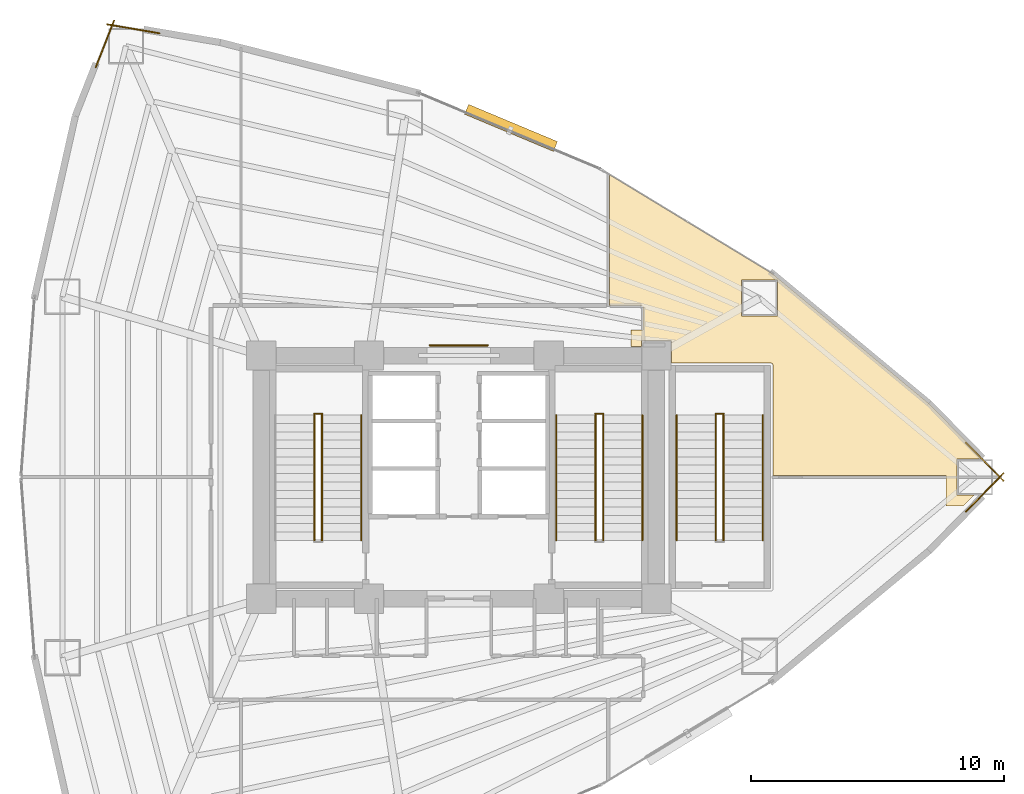
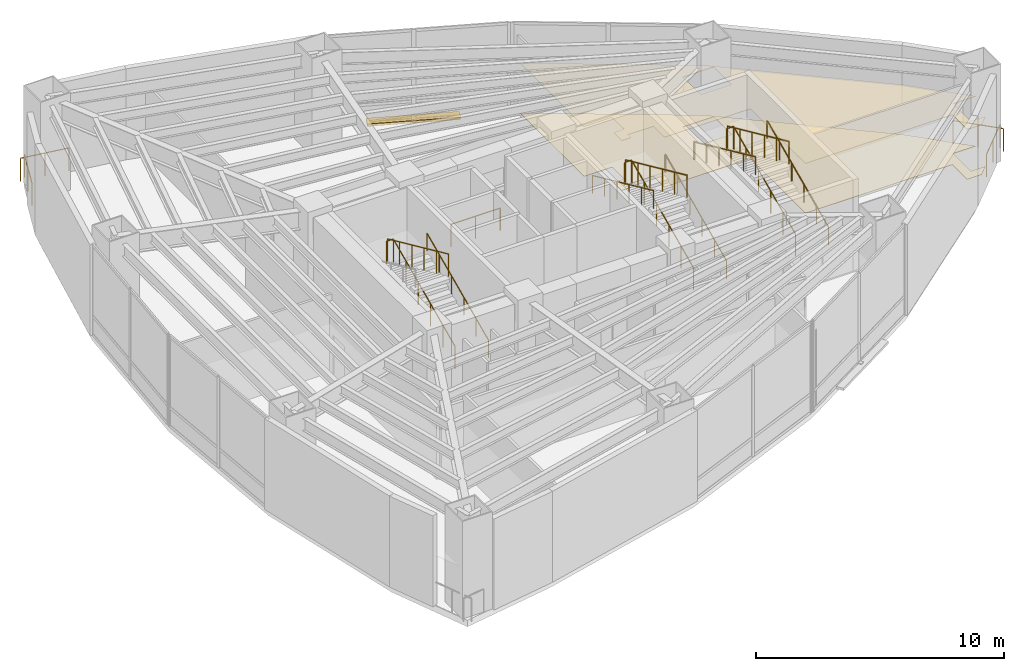
# One storey, part 18 of 18: 19 railings, 2 coverings, 1 shading device.
"""IFC4 building model written with IfcOpenShell, lengths in metres."""

from ifc_helpers import new_model, si_unit, direction, frame, origin, origin_2d, place, context, subcontext, project, spatial, polyline, rectangle, circle, outline, extrude, material, layer, layer_set, type_object, element, save


model = new_model("IFC4")

# Units and contexts
model_context = context("Model", 3, precision=1e-05, world=origin(), true_north=direction((0.0, 1.0)))
body_context = subcontext(model_context, "Body", "Model", "MODEL_VIEW")
ifc_project = project(units=[si_unit("LENGTHUNIT", "METRE"), si_unit("AREAUNIT", "SQUARE_METRE"), si_unit("VOLUMEUNIT", "CUBIC_METRE"), si_unit("PLANEANGLEUNIT", "RADIAN"), si_unit("MASSUNIT", "GRAM", prefix="KILO")], contexts=[model_context])

# Site, building, storey
site_placement = place(None, origin())
site = spatial("IfcSite", under=ifc_project, at=site_placement, CompositionType="ELEMENT")
building_placement = place(site_placement, origin())
building = spatial("IfcBuilding", under=site, at=building_placement, Name="Menara Vayukalpa", CompositionType="ELEMENT")
storey_placement = place(building_placement, frame((0.0, 0.0, 7.199951171875)))
storey = spatial("IfcBuildingStorey", under=building, at=storey_placement, Name="L01", CompositionType="ELEMENT", Elevation=7.199951171875)

# Coverings
ifc_material_1 = material(Name="Mineral Fibre Acoustic Ceiling Tile", Category="masonry")
ifc_layer_1 = layer(ifc_material_1, 0.02490234375)
ifc_layer_set_1 = layer_set([ifc_layer_1], Name="Mineral Fibre Acoustic Ceiling Tile")
covering_type_1 = type_object("IfcCoveringType", Name="COV-CLG1", PredefinedType="CEILING", material=ifc_layer_set_1)
covering_1_placement = place(storey_placement, frame((0.0, 0.0, 2.449951171875)))
element("IfcCovering", 1, at=covering_1_placement, inside=storey, type_object=covering_type_1, Name="L01 Podium Operations Support Suite Acoustic Ceiling", PredefinedType="CEILING", context=body_context, shape_type="SweptSolid", body=[
    extrude(outline(polyline([(45.5224609375, 20.864990234375), (44.84423828125, 20.864990234375), (44.84423828125, 22.06005859375), (38.010009765625, 22.06005859375), (38.009033203125, 22.06005859375), (38.008056640625, 22.060302734375), (38.007080078125, 22.060302734375), (38.006103515625, 22.060791015625), (38.00537109375, 22.061279296875), (38.00439453125, 22.061767578125), (38.003662109375, 22.062255859375), (38.0029296875, 22.06298828125), (38.002197265625, 22.063720703125), (38.001708984375, 22.064453125), (38.001220703125, 22.065185546875), (38.000732421875, 22.066162109375), (38.00048828125, 22.067138671875), (38.000244140625, 22.068115234375), (38.0, 22.069091796875), (38.0, 22.070068359375), (38.0, 26.4296875), (37.99951171875, 26.436767578125), (37.998779296875, 26.443603515625), (37.9970703125, 26.4501953125), (37.99462890625, 26.456787109375), (37.99169921875, 26.462890625), (37.98828125, 26.46875), (37.98388671875, 26.474609375), (37.9794921875, 26.4794921875), (37.974609375, 26.48388671875), (37.96875, 26.48828125), (37.962890625, 26.49169921875), (37.956787109375, 26.49462890625), (37.9501953125, 26.4970703125), (37.943603515625, 26.498779296875), (37.936767578125, 26.49951171875), (37.9296875, 26.5), (33.989990234375, 26.5), (33.989990234375, 27.389892578125), (32.81005859375, 27.389892578125), (32.81005859375, 27.14990234375), (32.389892578125, 27.14990234375), (32.389892578125, 27.81005859375), (32.8701171875, 27.81005859375), (32.8701171875, 28.69970703125), (32.86962890625, 28.706787109375), (32.86865234375, 28.713623046875), (32.866943359375, 28.72021484375), (32.86474609375, 28.726806640625), (32.86181640625, 28.73291015625), (32.858154296875, 28.73876953125), (32.85400390625, 28.744384765625), (32.849609375, 28.74951171875), (32.844482421875, 28.75390625), (32.8388671875, 28.75830078125), (32.8330078125, 28.76171875), (32.826904296875, 28.7646484375), (32.8203125, 28.76708984375), (32.813720703125, 28.768798828125), (32.806884765625, 28.76953125), (32.7998046875, 28.77001953125), (31.570068359375, 28.77001953125), (31.569091796875, 28.77001953125), (31.568115234375, 28.770263671875), (31.567138671875, 28.7705078125), (31.566162109375, 28.770751953125), (31.565185546875, 28.771240234375), (31.564453125, 28.771728515625), (31.563720703125, 28.772216796875), (31.56298828125, 28.77294921875), (31.562255859375, 28.773681640625), (31.561767578125, 28.7744140625), (31.561279296875, 28.775390625), (31.560791015625, 28.776123046875), (31.560302734375, 28.777099609375), (31.560302734375, 28.778076171875), (31.56005859375, 28.779052734375), (31.56005859375, 28.780029296875), (31.56005859375, 33.91748046875), (31.56005859375, 33.91845703125), (31.560302734375, 33.919189453125), (31.560302734375, 33.920166015625), (31.560791015625, 33.921142578125), (31.56103515625, 33.922119140625), (31.5615234375, 33.9228515625), (31.562255859375, 33.923583984375), (31.562744140625, 33.92431640625), (31.5634765625, 33.925048828125), (31.564208984375, 33.925537109375), (31.565185546875, 33.926025390625), (31.56591796875, 33.926513671875), (31.56689453125, 33.927001953125), (31.56787109375, 33.92724609375), (31.568603515625, 33.92724609375), (31.569580078125, 33.927490234375), (31.570556640625, 33.927490234375), (31.571533203125, 33.92724609375), (31.572509765625, 33.927001953125), (31.573486328125, 33.9267578125), (31.57421875, 33.926513671875), (31.5751953125, 33.92578125), (37.966796875, 30.043212890625), (37.968017578125, 30.04248046875), (44.1630859375, 24.90478515625), (44.163818359375, 24.904052734375), (46.313232421875, 22.715087890625), (45.26416015625, 22.715087890625), (45.26416015625, 21.284912109375), (45.934814453125, 21.284912109375), (45.5224609375, 20.864990234375)]), holes=[polyline([(38.18896484375, 28.35595703125), (38.18896484375, 29.785888671875), (36.759033203125, 29.785888671875), (36.759033203125, 28.35595703125), (38.18896484375, 28.35595703125)])]), origin(), (0.0, 0.0, 1.0), 0.025146484375),
])
ifc_material_2 = material(Name="Porcelain Stoneware Floor Tile", Category="masonry")
ifc_layer_2 = layer(ifc_material_2, 0.02001953125)
ifc_layer_set_2 = layer_set([ifc_layer_2], Name="Porcelain Stoneware Floor Tile")
covering_type_2 = type_object("IfcCoveringType", Name="COV-FLR1", PredefinedType="FLOORING", material=ifc_layer_set_2)
covering_2_placement = place(storey_placement, origin())
element("IfcCovering", 2, at=covering_2_placement, inside=storey, type_object=covering_type_2, Name="L01 Podium Operations Support Suite Porcelain Flooring", PredefinedType="FLOORING", context=body_context, shape_type="SweptSolid", body=[
    extrude(outline(polyline([(45.5224609375, 20.864990234375), (44.84423828125, 20.864990234375), (44.84423828125, 22.06005859375), (38.010009765625, 22.06005859375), (38.009033203125, 22.06005859375), (38.008056640625, 22.060302734375), (38.007080078125, 22.060302734375), (38.006103515625, 22.060791015625), (38.00537109375, 22.061279296875), (38.00439453125, 22.061767578125), (38.003662109375, 22.062255859375), (38.0029296875, 22.06298828125), (38.002197265625, 22.063720703125), (38.001708984375, 22.064453125), (38.001220703125, 22.065185546875), (38.000732421875, 22.066162109375), (38.00048828125, 22.067138671875), (38.000244140625, 22.068115234375), (38.0, 22.069091796875), (38.0, 22.070068359375), (38.0, 26.4296875), (37.99951171875, 26.436767578125), (37.998779296875, 26.443603515625), (37.9970703125, 26.4501953125), (37.99462890625, 26.456787109375), (37.99169921875, 26.462890625), (37.98828125, 26.46875), (37.98388671875, 26.474609375), (37.9794921875, 26.4794921875), (37.974609375, 26.48388671875), (37.96875, 26.48828125), (37.962890625, 26.49169921875), (37.956787109375, 26.49462890625), (37.9501953125, 26.4970703125), (37.943603515625, 26.498779296875), (37.936767578125, 26.49951171875), (37.9296875, 26.5), (33.989990234375, 26.5), (33.989990234375, 27.389892578125), (32.81005859375, 27.389892578125), (32.81005859375, 27.14990234375), (32.389892578125, 27.14990234375), (32.389892578125, 27.81005859375), (32.8701171875, 27.81005859375), (32.8701171875, 28.69970703125), (32.86962890625, 28.706787109375), (32.86865234375, 28.713623046875), (32.866943359375, 28.72021484375), (32.86474609375, 28.726806640625), (32.86181640625, 28.73291015625), (32.858154296875, 28.73876953125), (32.85400390625, 28.744384765625), (32.849609375, 28.74951171875), (32.844482421875, 28.75390625), (32.8388671875, 28.75830078125), (32.8330078125, 28.76171875), (32.826904296875, 28.7646484375), (32.8203125, 28.76708984375), (32.813720703125, 28.768798828125), (32.806884765625, 28.76953125), (32.7998046875, 28.77001953125), (31.570068359375, 28.77001953125), (31.569091796875, 28.77001953125), (31.568115234375, 28.770263671875), (31.567138671875, 28.7705078125), (31.566162109375, 28.770751953125), (31.565185546875, 28.771240234375), (31.564453125, 28.771728515625), (31.563720703125, 28.772216796875), (31.56298828125, 28.77294921875), (31.562255859375, 28.773681640625), (31.561767578125, 28.7744140625), (31.561279296875, 28.775390625), (31.560791015625, 28.776123046875), (31.560302734375, 28.777099609375), (31.560302734375, 28.778076171875), (31.56005859375, 28.779052734375), (31.56005859375, 28.780029296875), (31.56005859375, 33.91748046875), (31.56005859375, 33.91845703125), (31.560302734375, 33.919189453125), (31.560302734375, 33.920166015625), (31.560791015625, 33.921142578125), (31.56103515625, 33.922119140625), (31.5615234375, 33.9228515625), (31.562255859375, 33.923583984375), (31.562744140625, 33.92431640625), (31.5634765625, 33.925048828125), (31.564208984375, 33.925537109375), (31.565185546875, 33.926025390625), (31.56591796875, 33.926513671875), (31.56689453125, 33.927001953125), (31.56787109375, 33.92724609375), (31.568603515625, 33.92724609375), (31.569580078125, 33.927490234375), (31.570556640625, 33.927490234375), (31.571533203125, 33.92724609375), (31.572509765625, 33.927001953125), (31.573486328125, 33.9267578125), (31.57421875, 33.926513671875), (31.5751953125, 33.92578125), (37.966796875, 30.043212890625), (37.968017578125, 30.04248046875), (44.1630859375, 24.90478515625), (44.163818359375, 24.904052734375), (46.313232421875, 22.715087890625), (45.26416015625, 22.715087890625), (45.26416015625, 21.284912109375), (45.934814453125, 21.284912109375), (45.5224609375, 20.864990234375)]), holes=[polyline([(38.18896484375, 28.35595703125), (38.18896484375, 29.785888671875), (36.759033203125, 29.785888671875), (36.759033203125, 28.35595703125), (38.18896484375, 28.35595703125)])]), origin(), (0.0, 0.0, 1.0), 0.02001953125),
])

# Railings
ifc_material_3 = material(Name="Laminated Glass Interior Balustrade", Category="glass")
railing_type_1 = type_object("IfcRailingType", Name="RLG-BAL110", PredefinedType="BALUSTRADE", material=ifc_material_3)
railing_1_placement = place(storey_placement, frame((24.449951171875, 27.199951171875, 0.0)))
element("IfcRailing", 3, at=railing_1_placement, inside=storey, type_object=railing_type_1, Name="L01 Concourse Feature Glass Balustrade", PredefinedType="BALUSTRADE", context=body_context, shape_type="SweptSolid", body=[
    extrude(circle(Radius=0.02392578125, at=origin_2d()), frame((0.0, 0.0, 1.09619140625), z_axis=(1.0, 0.0, 0.0), x_axis=(0.0, 1.0, 0.0)), (0.0, 0.0, 1.0), 2.300048828125),
    extrude(circle(Radius=0.02099609375, at=origin_2d()), origin(), (0.0, 0.0, 1.0), 1.072021484375),
    extrude(circle(Radius=0.02099609375, at=origin_2d()), frame((1.14990234375, 0.0, 0.0)), (0.0, 0.0, 1.0), 1.072021484375),
    extrude(circle(Radius=0.02099609375, at=origin_2d()), frame((2.300048828125, 0.0, 0.0)), (0.0, 0.0, 1.0), 1.072021484375),
])
ifc_material_4 = material(Name="Laminated Glass and Stainless Steel 316 Guardrail", Category="steel")
railing_type_2 = type_object("IfcRailingType", Name="RLG-EXT115", PredefinedType="GUARDRAIL", material=ifc_material_4)
railing_2_placement = place(storey_placement, frame((45.62353515625, 20.6396484375, 0.0)))
element("IfcRailing", 4, at=railing_2_placement, inside=storey, type_object=railing_type_2, Name="L01 Column Corner Spandrel Guardrail 01-1", PredefinedType="GUARDRAIL", context=body_context, shape_type="SweptSolid", body=[
    extrude(circle(Radius=0.02392578125, at=origin_2d()), frame((0.0, 0.0, 1.1259765625), z_axis=(0.700614652117, 0.713539844184, 0.0), x_axis=(-0.713539844184, 0.700614652117, 0.0)), (0.0, 0.0, 1.0), 2.115478515625),
    extrude(circle(Radius=0.02099609375, at=origin_2d()), origin(), (0.0, 0.0, 1.0), 1.101806640625),
    extrude(circle(Radius=0.02099609375, at=origin_2d()), frame((0.7412109375, 0.7548828125, 0.0)), (0.0, 0.0, 1.0), 1.101806640625),
    extrude(circle(Radius=0.02099609375, at=origin_2d()), frame((1.482177734375, 1.509521484375, 0.0)), (0.0, 0.0, 1.0), 1.101806640625),
])
railing_3_placement = place(storey_placement, frame((47.105712890625, 21.850830078125, 0.0)))
element("IfcRailing", 5, at=railing_3_placement, inside=storey, type_object=railing_type_2, Name="L01 Column Corner Spandrel Guardrail 02-1", PredefinedType="GUARDRAIL", context=body_context, shape_type="SweptSolid", body=[
    extrude(circle(Radius=0.02392578125, at=origin_2d()), frame((0.0, 0.0, 1.1259765625), z_axis=(-0.700614652117, 0.713539844184, 0.0), x_axis=(-0.713539844184, -0.700614652117, 0.0)), (0.0, 0.0, 1.0), 2.115478515625),
    extrude(circle(Radius=0.02099609375, at=origin_2d()), origin(), (0.0, 0.0, 1.0), 1.101806640625),
    extrude(circle(Radius=0.02099609375, at=origin_2d()), frame((-0.7412109375, 0.7548828125, 0.0)), (0.0, 0.0, 1.0), 1.101806640625),
    extrude(circle(Radius=0.02099609375, at=origin_2d()), frame((-1.482177734375, 1.509521484375, 0.0)), (0.0, 0.0, 1.0), 1.101806640625),
])
railing_4_placement = place(storey_placement, frame((13.78369140625, 39.524658203125, 0.0)))
element("IfcRailing", 6, at=railing_4_placement, inside=storey, type_object=railing_type_2, Name="L01 Column Corner Spandrel Guardrail 07-1", PredefinedType="GUARDRAIL", context=body_context, shape_type="SweptSolid", body=[
    extrude(circle(Radius=0.02392578125, at=origin_2d()), frame((0.0, 0.0, 1.1259765625), z_axis=(-0.985904350491, 0.167309927029, 0.0), x_axis=(-0.167309927029, -0.985904350491, 0.0)), (0.0, 0.0, 1.0), 2.093994140625),
    extrude(circle(Radius=0.02099609375, at=origin_2d()), origin(), (0.0, 0.0, 1.0), 1.101806640625),
    extrude(circle(Radius=0.02099609375, at=origin_2d()), frame((-1.0322265625, 0.17529296875, 0.0)), (0.0, 0.0, 1.0), 1.101806640625),
    extrude(circle(Radius=0.02099609375, at=origin_2d()), frame((-2.064453125, 0.350341796875, 0.0)), (0.0, 0.0, 1.0), 1.101806640625),
])
railing_5_placement = place(storey_placement, frame((11.990478515625, 40.028076171875, 0.0)))
element("IfcRailing", 7, at=railing_5_placement, inside=storey, type_object=railing_type_2, Name="L01 Column Corner Spandrel Guardrail 08-1", PredefinedType="GUARDRAIL", context=body_context, shape_type="SweptSolid", body=[
    extrude(circle(Radius=0.02392578125, at=origin_2d()), frame((0.0, 0.0, 1.1259765625), z_axis=(-0.365580158762, -0.930779859859, 0.0), x_axis=(0.930779859859, -0.365580158762, 0.0)), (0.0, 0.0, 1.0), 1.9873046875),
    extrude(circle(Radius=0.02099609375, at=origin_2d()), origin(), (0.0, 0.0, 1.0), 1.101806640625),
    extrude(circle(Radius=0.02099609375, at=origin_2d()), frame((-0.36328125, -0.9248046875, 0.0)), (0.0, 0.0, 1.0), 1.101806640625),
    extrude(circle(Radius=0.02099609375, at=origin_2d()), frame((-0.7265625, -1.849853515625, 0.0)), (0.0, 0.0, 1.0), 1.101806640625),
])
ifc_material_5 = material(Name="Powder-Coated Galvanised Steel Guardrail", Category="steel")
railing_type_3 = type_object("IfcRailingType", Name="RLG-STG110", PredefinedType="GUARDRAIL", material=ifc_material_5)
railing_6_placement = place(storey_placement, frame((20.199951171875, 19.5, 0.150146484375)))
element("IfcRailing", 8, at=railing_6_placement, inside=storey, type_object=railing_type_3, Name="L01 ST-1 stair guard 1", PredefinedType="GUARDRAIL", context=body_context, shape_type="SweptSolid", body=[
    extrude(circle(Radius=0.02392578125, at=origin_2d()), frame((0.0, 0.0, 1.09619140625), z_axis=(0.0, 0.910364939756, 0.41380632724), x_axis=(-1.0, 0.0, 0.0)), (0.0, 0.0, 1.0), 5.437255859375),
    extrude(circle(Radius=0.02099609375, at=origin_2d()), origin(), (0.0, 0.0, 1.0), 1.072021484375),
    extrude(circle(Radius=0.02099609375, at=origin_2d()), frame((0.0, 0.989990234375, 0.449951171875)), (0.0, 0.0, 1.0), 1.072021484375),
    extrude(circle(Radius=0.02099609375, at=origin_2d()), frame((0.0, 1.97998046875, 0.89990234375)), (0.0, 0.0, 1.0), 1.072021484375),
    extrude(circle(Radius=0.02099609375, at=origin_2d()), frame((0.0, 2.969970703125, 1.35009765625)), (0.0, 0.0, 1.0), 1.072021484375),
    extrude(circle(Radius=0.02099609375, at=origin_2d()), frame((0.0, 3.9599609375, 1.800048828125)), (0.0, 0.0, 1.0), 1.072021484375),
    extrude(circle(Radius=0.02099609375, at=origin_2d()), frame((0.0, 4.949951171875, 2.25)), (0.0, 0.0, 1.0), 1.072021484375),
])
railing_7_placement = place(storey_placement, frame((20.2099609375, 24.5, 2.400146484375)))
element("IfcRailing", 9, at=railing_7_placement, inside=storey, type_object=railing_type_3, Name="L01 ST-1 stair guard 2", PredefinedType="GUARDRAIL", context=body_context, shape_type="SweptSolid", body=[
    extrude(circle(Radius=0.02392578125, at=origin_2d()), frame((0.0, 0.0, 1.09619140625), z_axis=(-1.0, 0.0, 0.0), x_axis=(0.0, -1.0, 0.0)), (0.0, 0.0, 1.0), 0.320068359375),
    extrude(circle(Radius=0.02099609375, at=origin_2d()), origin(), (0.0, 0.0, 1.0), 1.072021484375),
    extrude(circle(Radius=0.02099609375, at=origin_2d()), frame((-0.320068359375, 0.0, 0.0)), (0.0, 0.0, 1.0), 1.072021484375),
])
railing_8_placement = place(storey_placement, frame((19.89990234375, 24.449951171875, 2.550048828125)))
element("IfcRailing", 10, at=railing_8_placement, inside=storey, type_object=railing_type_3, Name="L01 ST-1 stair guard 3", PredefinedType="GUARDRAIL", context=body_context, shape_type="SweptSolid", body=[
    extrude(circle(Radius=0.02392578125, at=origin_2d()), frame((0.0, 0.0, 1.09619140625), z_axis=(0.0, -0.910364939756, 0.41380632724), x_axis=(1.0, 0.0, 0.0)), (0.0, 0.0, 1.0), 5.437255859375),
    extrude(circle(Radius=0.02099609375, at=origin_2d()), origin(), (0.0, 0.0, 1.0), 1.072021484375),
    extrude(circle(Radius=0.02099609375, at=origin_2d()), frame((0.0, -0.989990234375, 0.449951171875)), (0.0, 0.0, 1.0), 1.072021484375),
    extrude(circle(Radius=0.02099609375, at=origin_2d()), frame((0.0, -1.97998046875, 0.89990234375)), (0.0, 0.0, 1.0), 1.072021484375),
    extrude(circle(Radius=0.02099609375, at=origin_2d()), frame((0.0, -2.969970703125, 1.35009765625)), (0.0, 0.0, 1.0), 1.072021484375),
    extrude(circle(Radius=0.02099609375, at=origin_2d()), frame((0.0, -3.9599609375, 1.800048828125)), (0.0, 0.0, 1.0), 1.072021484375),
    extrude(circle(Radius=0.02099609375, at=origin_2d()), frame((0.0, -4.949951171875, 2.25)), (0.0, 0.0, 1.0), 1.072021484375),
])
railing_9_placement = place(storey_placement, frame((31.300048828125, 19.5, 0.150146484375)))
element("IfcRailing", 11, at=railing_9_placement, inside=storey, type_object=railing_type_3, Name="L01 ST-2 stair guard 1", PredefinedType="GUARDRAIL", context=body_context, shape_type="SweptSolid", body=[
    extrude(circle(Radius=0.02392578125, at=origin_2d()), frame((0.0, 0.0, 1.09619140625), z_axis=(0.0, 0.910364939756, 0.41380632724), x_axis=(-1.0, 0.0, 0.0)), (0.0, 0.0, 1.0), 5.437255859375),
    extrude(circle(Radius=0.02099609375, at=origin_2d()), origin(), (0.0, 0.0, 1.0), 1.072021484375),
    extrude(circle(Radius=0.02099609375, at=origin_2d()), frame((0.0, 0.989990234375, 0.449951171875)), (0.0, 0.0, 1.0), 1.072021484375),
    extrude(circle(Radius=0.02099609375, at=origin_2d()), frame((0.0, 1.97998046875, 0.89990234375)), (0.0, 0.0, 1.0), 1.072021484375),
    extrude(circle(Radius=0.02099609375, at=origin_2d()), frame((0.0, 2.969970703125, 1.35009765625)), (0.0, 0.0, 1.0), 1.072021484375),
    extrude(circle(Radius=0.02099609375, at=origin_2d()), frame((0.0, 3.9599609375, 1.800048828125)), (0.0, 0.0, 1.0), 1.072021484375),
    extrude(circle(Radius=0.02099609375, at=origin_2d()), frame((0.0, 4.949951171875, 2.25)), (0.0, 0.0, 1.0), 1.072021484375),
])
railing_10_placement = place(storey_placement, frame((31.31005859375, 24.5, 2.400146484375)))
element("IfcRailing", 12, at=railing_10_placement, inside=storey, type_object=railing_type_3, Name="L01 ST-2 stair guard 2", PredefinedType="GUARDRAIL", context=body_context, shape_type="SweptSolid", body=[
    extrude(circle(Radius=0.02392578125, at=origin_2d()), frame((0.0, 0.0, 1.09619140625), z_axis=(-1.0, 0.0, 0.0), x_axis=(0.0, -1.0, 0.0)), (0.0, 0.0, 1.0), 0.320068359375),
    extrude(circle(Radius=0.02099609375, at=origin_2d()), origin(), (0.0, 0.0, 1.0), 1.072021484375),
    extrude(circle(Radius=0.02099609375, at=origin_2d()), frame((-0.320068359375, 0.0, 0.0)), (0.0, 0.0, 1.0), 1.072021484375),
])
railing_11_placement = place(storey_placement, frame((31.0, 24.449951171875, 2.550048828125)))
element("IfcRailing", 13, at=railing_11_placement, inside=storey, type_object=railing_type_3, Name="L01 ST-2 stair guard 3", PredefinedType="GUARDRAIL", context=body_context, shape_type="SweptSolid", body=[
    extrude(circle(Radius=0.02392578125, at=origin_2d()), frame((0.0, 0.0, 1.09619140625), z_axis=(0.0, -0.910364939756, 0.41380632724), x_axis=(1.0, 0.0, 0.0)), (0.0, 0.0, 1.0), 5.437255859375),
    extrude(circle(Radius=0.02099609375, at=origin_2d()), origin(), (0.0, 0.0, 1.0), 1.072021484375),
    extrude(circle(Radius=0.02099609375, at=origin_2d()), frame((0.0, -0.989990234375, 0.449951171875)), (0.0, 0.0, 1.0), 1.072021484375),
    extrude(circle(Radius=0.02099609375, at=origin_2d()), frame((0.0, -1.97998046875, 0.89990234375)), (0.0, 0.0, 1.0), 1.072021484375),
    extrude(circle(Radius=0.02099609375, at=origin_2d()), frame((0.0, -2.969970703125, 1.35009765625)), (0.0, 0.0, 1.0), 1.072021484375),
    extrude(circle(Radius=0.02099609375, at=origin_2d()), frame((0.0, -3.9599609375, 1.800048828125)), (0.0, 0.0, 1.0), 1.072021484375),
    extrude(circle(Radius=0.02099609375, at=origin_2d()), frame((0.0, -4.949951171875, 2.25)), (0.0, 0.0, 1.0), 1.072021484375),
])
railing_12_placement = place(storey_placement, frame((36.050048828125, 19.5, 0.150146484375)))
element("IfcRailing", 14, at=railing_12_placement, inside=storey, type_object=railing_type_3, Name="L01 ST-3 stair guard 1", PredefinedType="GUARDRAIL", context=body_context, shape_type="SweptSolid", body=[
    extrude(circle(Radius=0.02392578125, at=origin_2d()), frame((0.0, 0.0, 1.09619140625), z_axis=(0.0, 0.910364939756, 0.41380632724), x_axis=(-1.0, 0.0, 0.0)), (0.0, 0.0, 1.0), 5.437255859375),
    extrude(circle(Radius=0.02099609375, at=origin_2d()), origin(), (0.0, 0.0, 1.0), 1.072021484375),
    extrude(circle(Radius=0.02099609375, at=origin_2d()), frame((0.0, 0.989990234375, 0.449951171875)), (0.0, 0.0, 1.0), 1.072021484375),
    extrude(circle(Radius=0.02099609375, at=origin_2d()), frame((0.0, 1.97998046875, 0.89990234375)), (0.0, 0.0, 1.0), 1.072021484375),
    extrude(circle(Radius=0.02099609375, at=origin_2d()), frame((0.0, 2.969970703125, 1.35009765625)), (0.0, 0.0, 1.0), 1.072021484375),
    extrude(circle(Radius=0.02099609375, at=origin_2d()), frame((0.0, 3.9599609375, 1.800048828125)), (0.0, 0.0, 1.0), 1.072021484375),
    extrude(circle(Radius=0.02099609375, at=origin_2d()), frame((0.0, 4.949951171875, 2.25)), (0.0, 0.0, 1.0), 1.072021484375),
])
railing_13_placement = place(storey_placement, frame((36.06005859375, 24.5, 2.400146484375)))
element("IfcRailing", 15, at=railing_13_placement, inside=storey, type_object=railing_type_3, Name="L01 ST-3 stair guard 2", PredefinedType="GUARDRAIL", context=body_context, shape_type="SweptSolid", body=[
    extrude(circle(Radius=0.02392578125, at=origin_2d()), frame((0.0, 0.0, 1.09619140625), z_axis=(-1.0, 0.0, 0.0), x_axis=(0.0, -1.0, 0.0)), (0.0, 0.0, 1.0), 0.320068359375),
    extrude(circle(Radius=0.02099609375, at=origin_2d()), origin(), (0.0, 0.0, 1.0), 1.072021484375),
    extrude(circle(Radius=0.02099609375, at=origin_2d()), frame((-0.320068359375, 0.0, 0.0)), (0.0, 0.0, 1.0), 1.072021484375),
])
railing_14_placement = place(storey_placement, frame((35.75, 24.449951171875, 2.550048828125)))
element("IfcRailing", 16, at=railing_14_placement, inside=storey, type_object=railing_type_3, Name="L01 ST-3 stair guard 3", PredefinedType="GUARDRAIL", context=body_context, shape_type="SweptSolid", body=[
    extrude(circle(Radius=0.02392578125, at=origin_2d()), frame((0.0, 0.0, 1.09619140625), z_axis=(0.0, -0.910364939756, 0.41380632724), x_axis=(1.0, 0.0, 0.0)), (0.0, 0.0, 1.0), 5.437255859375),
    extrude(circle(Radius=0.02099609375, at=origin_2d()), origin(), (0.0, 0.0, 1.0), 1.072021484375),
    extrude(circle(Radius=0.02099609375, at=origin_2d()), frame((0.0, -0.989990234375, 0.449951171875)), (0.0, 0.0, 1.0), 1.072021484375),
    extrude(circle(Radius=0.02099609375, at=origin_2d()), frame((0.0, -1.97998046875, 0.89990234375)), (0.0, 0.0, 1.0), 1.072021484375),
    extrude(circle(Radius=0.02099609375, at=origin_2d()), frame((0.0, -2.969970703125, 1.35009765625)), (0.0, 0.0, 1.0), 1.072021484375),
    extrude(circle(Radius=0.02099609375, at=origin_2d()), frame((0.0, -3.9599609375, 1.800048828125)), (0.0, 0.0, 1.0), 1.072021484375),
    extrude(circle(Radius=0.02099609375, at=origin_2d()), frame((0.0, -4.949951171875, 2.25)), (0.0, 0.0, 1.0), 1.072021484375),
])
ifc_material_6 = material(Name="Stainless Steel 316 Tubular Handrail", Category="steel")
railing_type_4 = type_object("IfcRailingType", Name="RLG-STH090", PredefinedType="HANDRAIL", material=ifc_material_6)
for number, where, name in (
    (17, (21.75, 19.5, 0.150146484375), "L01 ST-1 stair handrail 1"),
    (18, (32.85009765625, 19.5, 0.150146484375), "L01 ST-2 stair handrail 1"),
):
    element("IfcRailing", number, at=place(storey_placement, frame(where)), inside=storey, type_object=railing_type_4, Name=name, PredefinedType="HANDRAIL", context=body_context, shape_type="SweptSolid", body=[
        extrude(circle(Radius=0.02392578125, at=origin_2d()), frame((0.0, 0.0, 0.8759765625), z_axis=(0.0, 0.910364939756, 0.41380632724), x_axis=(-1.0, 0.0, 0.0)), (0.0, 0.0, 1.0), 5.437255859375),
        extrude(circle(Radius=0.02099609375, at=origin_2d()), origin(), (0.0, 0.0, 1.0), 0.851806640625),
        extrude(circle(Radius=0.02099609375, at=origin_2d()), frame((0.0, 0.989990234375, 0.449951171875)), (0.0, 0.0, 1.0), 0.851806640625),
        extrude(circle(Radius=0.02099609375, at=origin_2d()), frame((0.0, 1.97998046875, 0.89990234375)), (0.0, 0.0, 1.0), 0.851806640625),
        extrude(circle(Radius=0.02099609375, at=origin_2d()), frame((0.0, 2.969970703125, 1.35009765625)), (0.0, 0.0, 1.0), 0.851806640625),
        extrude(circle(Radius=0.02099609375, at=origin_2d()), frame((0.0, 3.9599609375, 1.800048828125)), (0.0, 0.0, 1.0), 0.851806640625),
        extrude(circle(Radius=0.02099609375, at=origin_2d()), frame((0.0, 4.949951171875, 2.25)), (0.0, 0.0, 1.0), 0.851806640625),
    ])
railing_15_placement = place(storey_placement, frame((29.449951171875, 24.449951171875, 2.550048828125)))
element("IfcRailing", 19, at=railing_15_placement, inside=storey, type_object=railing_type_4, Name="L01 ST-2 stair handrail 2", PredefinedType="HANDRAIL", context=body_context, shape_type="SweptSolid", body=[
    extrude(circle(Radius=0.02392578125, at=origin_2d()), frame((0.0, 0.0, 0.8759765625), z_axis=(0.0, -0.910364939756, 0.41380632724), x_axis=(1.0, 0.0, 0.0)), (0.0, 0.0, 1.0), 5.437255859375),
    extrude(circle(Radius=0.02099609375, at=origin_2d()), origin(), (0.0, 0.0, 1.0), 0.851806640625),
    extrude(circle(Radius=0.02099609375, at=origin_2d()), frame((0.0, -0.989990234375, 0.449951171875)), (0.0, 0.0, 1.0), 0.851806640625),
    extrude(circle(Radius=0.02099609375, at=origin_2d()), frame((0.0, -1.97998046875, 0.89990234375)), (0.0, 0.0, 1.0), 0.851806640625),
    extrude(circle(Radius=0.02099609375, at=origin_2d()), frame((0.0, -2.969970703125, 1.35009765625)), (0.0, 0.0, 1.0), 0.851806640625),
    extrude(circle(Radius=0.02099609375, at=origin_2d()), frame((0.0, -3.9599609375, 1.800048828125)), (0.0, 0.0, 1.0), 0.851806640625),
    extrude(circle(Radius=0.02099609375, at=origin_2d()), frame((0.0, -4.949951171875, 2.25)), (0.0, 0.0, 1.0), 0.851806640625),
])
railing_16_placement = place(storey_placement, frame((37.60009765625, 19.5, 0.150146484375)))
element("IfcRailing", 20, at=railing_16_placement, inside=storey, type_object=railing_type_4, Name="L01 ST-3 stair handrail 1", PredefinedType="HANDRAIL", context=body_context, shape_type="SweptSolid", body=[
    extrude(circle(Radius=0.02392578125, at=origin_2d()), frame((0.0, 0.0, 0.8759765625), z_axis=(0.0, 0.910364939756, 0.41380632724), x_axis=(-1.0, 0.0, 0.0)), (0.0, 0.0, 1.0), 5.437255859375),
    extrude(circle(Radius=0.02099609375, at=origin_2d()), origin(), (0.0, 0.0, 1.0), 0.851806640625),
    extrude(circle(Radius=0.02099609375, at=origin_2d()), frame((0.0, 0.989990234375, 0.449951171875)), (0.0, 0.0, 1.0), 0.851806640625),
    extrude(circle(Radius=0.02099609375, at=origin_2d()), frame((0.0, 1.97998046875, 0.89990234375)), (0.0, 0.0, 1.0), 0.851806640625),
    extrude(circle(Radius=0.02099609375, at=origin_2d()), frame((0.0, 2.969970703125, 1.35009765625)), (0.0, 0.0, 1.0), 0.851806640625),
    extrude(circle(Radius=0.02099609375, at=origin_2d()), frame((0.0, 3.9599609375, 1.800048828125)), (0.0, 0.0, 1.0), 0.851806640625),
    extrude(circle(Radius=0.02099609375, at=origin_2d()), frame((0.0, 4.949951171875, 2.25)), (0.0, 0.0, 1.0), 0.851806640625),
])
railing_17_placement = place(storey_placement, frame((34.199951171875, 24.449951171875, 2.550048828125)))
element("IfcRailing", 21, at=railing_17_placement, inside=storey, type_object=railing_type_4, Name="L01 ST-3 stair handrail 2", PredefinedType="HANDRAIL", context=body_context, shape_type="SweptSolid", body=[
    extrude(circle(Radius=0.02392578125, at=origin_2d()), frame((0.0, 0.0, 0.8759765625), z_axis=(0.0, -0.910364939756, 0.41380632724), x_axis=(1.0, 0.0, 0.0)), (0.0, 0.0, 1.0), 5.437255859375),
    extrude(circle(Radius=0.02099609375, at=origin_2d()), origin(), (0.0, 0.0, 1.0), 0.851806640625),
    extrude(circle(Radius=0.02099609375, at=origin_2d()), frame((0.0, -0.989990234375, 0.449951171875)), (0.0, 0.0, 1.0), 0.851806640625),
    extrude(circle(Radius=0.02099609375, at=origin_2d()), frame((0.0, -1.97998046875, 0.89990234375)), (0.0, 0.0, 1.0), 0.851806640625),
    extrude(circle(Radius=0.02099609375, at=origin_2d()), frame((0.0, -2.969970703125, 1.35009765625)), (0.0, 0.0, 1.0), 0.851806640625),
    extrude(circle(Radius=0.02099609375, at=origin_2d()), frame((0.0, -3.9599609375, 1.800048828125)), (0.0, 0.0, 1.0), 0.851806640625),
    extrude(circle(Radius=0.02099609375, at=origin_2d()), frame((0.0, -4.949951171875, 2.25)), (0.0, 0.0, 1.0), 0.851806640625),
])

# Shading device
ifc_material_7 = material(Name="Glazed Terracotta Ceramic Baguette Extrusion", Category="masonry")
ifc_layer_3 = layer(ifc_material_7, 0.1201171875)
ifc_layer_set_3 = layer_set([ifc_layer_3], Name="Glazed Terracotta Ceramic Baguette Extrusion")
shading_device_type = type_object("IfcShadingDeviceType", Name="SHD-SS1", PredefinedType="USERDEFINED", material=ifc_layer_set_3)
shading_device_placement = place(storey_placement, frame((27.662109375, 35.789306640625, -0.10009765625), z_axis=(0.0, 0.0, 1.0), x_axis=(-0.922544824647, 0.385889940938, 0.0)))
element("IfcShadingDevice", 22, at=shading_device_placement, inside=storey, type_object=shading_device_type, Name="L01 Horizontal Terracotta Sunshade Band 05", ObjectType="SUNSHADE", PredefinedType="USERDEFINED", context=body_context, shape_type="SweptSolid", body=[
    extrude(rectangle(XDim=3.800048828125, YDim=0.419921875, at=origin_2d()), origin(), (0.0, 0.0, 1.0), 0.1201171875),
])

save(model, "model.ifc")
